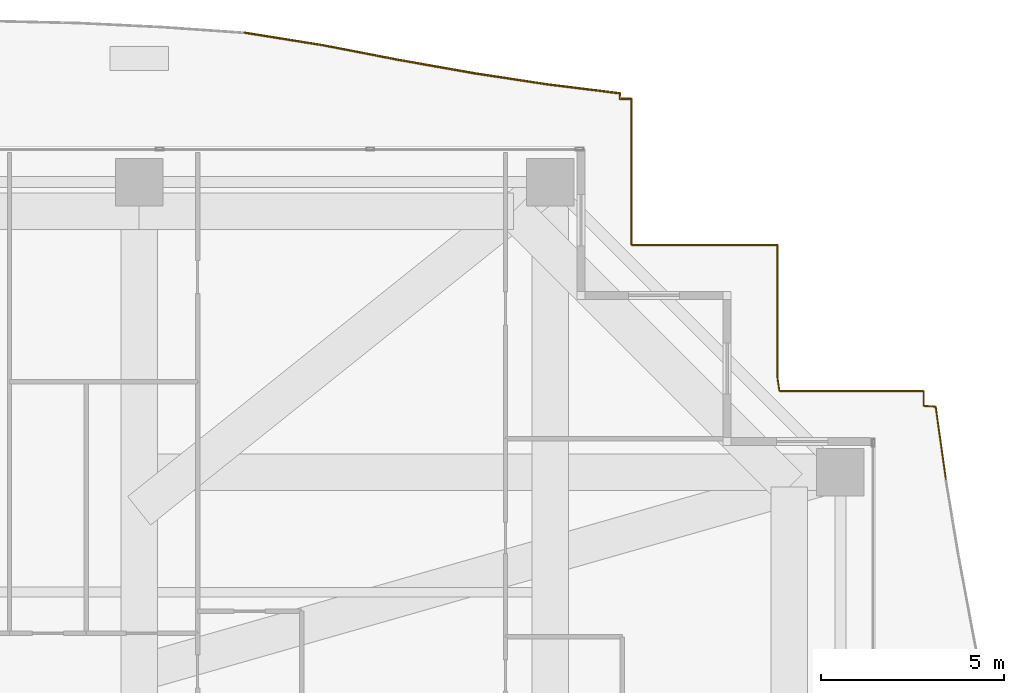
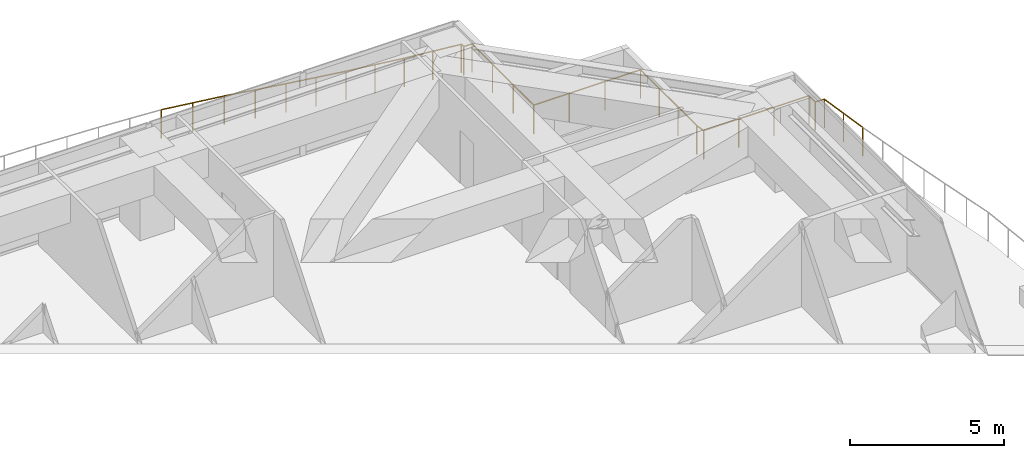
# One storey, part 32 of 32: 2 railings.
"""IFC4 building model written with IfcOpenShell, lengths in metres."""

from ifc_helpers import new_model, si_unit, direction, frame, origin, origin_2d, place, context, subcontext, project, spatial, circle, extrude, material, type_object, element, save


model = new_model("IFC4")

# Units and contexts
model_context = context("Model", 3, precision=1e-05, world=origin(), true_north=direction((0.0, 1.0)))
body_context = subcontext(model_context, "Body", "Model", "MODEL_VIEW")
ifc_project = project(units=[si_unit("LENGTHUNIT", "METRE"), si_unit("AREAUNIT", "SQUARE_METRE"), si_unit("VOLUMEUNIT", "CUBIC_METRE"), si_unit("PLANEANGLEUNIT", "RADIAN"), si_unit("MASSUNIT", "GRAM", prefix="KILO")], contexts=[model_context])

# Site, building, storey
site_placement = place(None, origin())
site = spatial("IfcSite", under=ifc_project, at=site_placement, CompositionType="ELEMENT")
building_placement = place(site_placement, origin())
building = spatial("IfcBuilding", under=site, at=building_placement, Name="Serunith Strait Residences", CompositionType="ELEMENT")
storey_placement = place(building_placement, frame((0.0, 0.0, 195.14990234375)))
storey = spatial("IfcBuildingStorey", under=building, at=storey_placement, Name="L49", CompositionType="ELEMENT", Elevation=195.14990234375)

# Railings
ifc_material = material(Name="Stainless Steel & Laminated Glass Balustrade", Category="steel")
railing_type = type_object("IfcRailingType", Name="RLG-BALC-1150", PredefinedType="BALUSTRADE", material=ifc_material)
railing_1_placement = place(storey_placement, frame((39.790771484375, 52.1923828125, -0.0498046875)))
element("IfcRailing", 1, at=railing_1_placement, inside=storey, type_object=railing_type, Name="L49 Swirling Balcony Perimeter Balustrade 3", PredefinedType="BALUSTRADE", context=body_context, shape_type="SweptSolid", body=[
    extrude(circle(Radius=0.02392578125, at=origin_2d()), frame((0.001953125, -0.000244140625, 1.1259765625), z_axis=(0.987396079544, -0.158268702218, 0.0), x_axis=(0.158268702218, 0.987396079544, 0.0)), (0.0, 0.0, 1.0), 2.1865234375),
    extrude(circle(Radius=0.02392578125, at=origin_2d()), frame((2.164794921875, -0.34716796875, 1.1259765625), z_axis=(0.981815210363, -0.189839123206, 0.0), x_axis=(0.189839123206, 0.981815210363, 0.0)), (0.0, 0.0, 1.0), 2.114013671875),
    extrude(circle(Radius=0.02392578125, at=origin_2d()), frame((4.244384765625, -0.7490234375, 1.1259765625), z_axis=(0.984634416296, -0.174628366099, 0.0), x_axis=(0.174628366099, 0.984634416296, 0.0)), (0.0, 0.0, 1.0), 2.06103515625),
    extrude(circle(Radius=0.02392578125, at=origin_2d()), frame((6.277587890625, -1.109619140625, 1.1259765625), z_axis=(0.988667401961, -0.150122510968, 0.0), x_axis=(0.150122510968, 0.988667401961, 0.0)), (0.0, 0.0, 1.0), 2.025634765625),
    extrude(circle(Radius=0.02392578125, at=origin_2d()), frame((8.2841796875, -1.414306640625, 1.1259765625), z_axis=(0.992467238183, -0.122510330723, 0.0), x_axis=(0.122510330723, 0.992467238183, 0.0)), (0.0, 0.0, 1.0), 2.0068359375),
    extrude(circle(Radius=0.02392578125, at=origin_2d()), frame((10.27783203125, -1.662353515625, 1.1259765625), z_axis=(-0.008025423722, -0.999967795768, 0.0), x_axis=(0.999967795768, -0.008025423722, 0.0)), (0.0, 0.0, 1.0), 0.148193359375),
    extrude(circle(Radius=0.02392578125, at=origin_2d()), frame((10.278564453125, -1.8125, 1.1259765625), z_axis=(1.0, 0.0, 0.0), x_axis=(0.0, 1.0, 0.0)), (0.0, 0.0, 1.0), 0.30859375),
    extrude(circle(Radius=0.02099609375, at=origin_2d()), origin(), (0.0, 0.0, 1.0), 1.099853515625),
    extrude(circle(Radius=0.02099609375, at=origin_2d()), frame((1.08154296875, -0.17333984375, 0.0)), (0.0, 0.0, 1.0), 1.099853515625),
    extrude(circle(Radius=0.02099609375, at=origin_2d()), frame((2.162841796875, -0.3466796875, 0.0)), (0.0, 0.0, 1.0), 1.099853515625),
    extrude(circle(Radius=0.02099609375, at=origin_2d()), frame((3.20263671875, -0.5478515625, 0.0)), (0.0, 0.0, 1.0), 1.099853515625),
    extrude(circle(Radius=0.02099609375, at=origin_2d()), frame((4.242431640625, -0.748779296875, 0.0)), (0.0, 0.0, 1.0), 1.099853515625),
    extrude(circle(Radius=0.02099609375, at=origin_2d()), frame((5.259033203125, -0.92919921875, 0.0)), (0.0, 0.0, 1.0), 1.099853515625),
    extrude(circle(Radius=0.02099609375, at=origin_2d()), frame((6.275634765625, -1.109375, 0.0)), (0.0, 0.0, 1.0), 1.099853515625),
    extrude(circle(Radius=0.02099609375, at=origin_2d()), frame((7.27880859375, -1.26171875, 0.0)), (0.0, 0.0, 1.0), 1.099853515625),
    extrude(circle(Radius=0.02099609375, at=origin_2d()), frame((8.2822265625, -1.4140625, 0.0)), (0.0, 0.0, 1.0), 1.099853515625),
    extrude(circle(Radius=0.02099609375, at=origin_2d()), frame((9.280029296875, -1.537109375, 0.0)), (0.0, 0.0, 1.0), 1.099853515625),
    extrude(circle(Radius=0.02099609375, at=origin_2d()), frame((10.27783203125, -1.660400390625, 0.0)), (0.0, 0.0, 1.0), 1.099853515625),
    extrude(circle(Radius=0.02099609375, at=origin_2d()), frame((10.276611328125, -1.8125, 0.0)), (0.0, 0.0, 1.0), 1.099853515625),
    extrude(circle(Radius=0.02099609375, at=origin_2d()), frame((10.589111328125, -1.8125, 0.0)), (0.0, 0.0, 1.0), 1.099853515625),
])
railing_2_placement = place(storey_placement, frame((50.3798828125, 50.3798828125, -0.0498046875)))
element("IfcRailing", 2, at=railing_2_placement, inside=storey, type_object=railing_type, Name="L49 Swirling Balcony Perimeter Balustrade 4", PredefinedType="BALUSTRADE", context=body_context, shape_type="SweptSolid", body=[
    extrude(circle(Radius=0.02392578125, at=origin_2d()), frame((0.0, -0.001953125, 1.1259765625), z_axis=(0.0, -1.0, 0.0), x_axis=(1.0, 0.0, 0.0)), (0.0, 0.0, 1.0), 3.99609375),
    extrude(circle(Radius=0.02392578125, at=origin_2d()), frame((0.001953125, -4.0, 1.1259765625), z_axis=(1.0, 0.0, 0.0), x_axis=(0.0, 1.0, 0.0)), (0.0, 0.0, 1.0), 3.99609375),
    extrude(circle(Radius=0.02392578125, at=origin_2d()), frame((4.0, -4.001953125, 1.1259765625), z_axis=(0.0, -1.0, 0.0), x_axis=(1.0, 0.0, 0.0)), (0.0, 0.0, 1.0), 3.64453125),
    extrude(circle(Radius=0.02392578125, at=origin_2d()), frame((4.000244140625, -7.650390625, 1.1259765625), z_axis=(0.146324585274, -0.989236632836, 0.0), x_axis=(0.989236632836, 0.146324585274, 0.0)), (0.0, 0.0, 1.0), 0.351318359375),
    extrude(circle(Radius=0.02392578125, at=origin_2d()), frame((4.053955078125, -8.0, 1.1259765625), z_axis=(1.0, 0.0, 0.0), x_axis=(0.0, 1.0, 0.0)), (0.0, 0.0, 1.0), 3.944091796875),
    extrude(circle(Radius=0.02392578125, at=origin_2d()), frame((8.0, -8.001953125, 1.1259765625), z_axis=(0.0, -1.0, 0.0), x_axis=(1.0, 0.0, 0.0)), (0.0, 0.0, 1.0), 0.402099609375),
    extrude(circle(Radius=0.02392578125, at=origin_2d()), frame((8.001953125, -8.406005859375, 1.1259765625), z_axis=(0.998372539461, -0.057028698471, 0.0), x_axis=(0.057028698471, 0.998372539461, 0.0)), (0.0, 0.0, 1.0), 0.32568359375),
    extrude(circle(Radius=0.02392578125, at=origin_2d()), frame((8.329345703125, -8.4267578125, 1.1259765625), z_axis=(0.138951209425, -0.990299228213, 0.0), x_axis=(0.990299228213, 0.138951209425, 0.0)), (0.0, 0.0, 1.0), 2.0166015625),
    extrude(circle(Radius=0.02099609375, at=origin_2d()), origin(), (0.0, 0.0, 1.0), 1.099853515625),
    extrude(circle(Radius=0.02099609375, at=origin_2d()), frame((0.0, -1.333251953125, 0.0)), (0.0, 0.0, 1.0), 1.099853515625),
    extrude(circle(Radius=0.02099609375, at=origin_2d()), frame((0.0, -2.666748046875, 0.0)), (0.0, 0.0, 1.0), 1.099853515625),
    extrude(circle(Radius=0.02099609375, at=origin_2d()), frame((0.0, -4.0, 0.0)), (0.0, 0.0, 1.0), 1.099853515625),
    extrude(circle(Radius=0.02099609375, at=origin_2d()), frame((1.333251953125, -4.0, 0.0)), (0.0, 0.0, 1.0), 1.099853515625),
    extrude(circle(Radius=0.02099609375, at=origin_2d()), frame((2.666748046875, -4.0, 0.0)), (0.0, 0.0, 1.0), 1.099853515625),
    extrude(circle(Radius=0.02099609375, at=origin_2d()), frame((4.0, -4.0, 0.0)), (0.0, 0.0, 1.0), 1.099853515625),
    extrude(circle(Radius=0.02099609375, at=origin_2d()), frame((4.0, -5.216064453125, 0.0)), (0.0, 0.0, 1.0), 1.099853515625),
    extrude(circle(Radius=0.02099609375, at=origin_2d()), frame((4.0, -6.432373046875, 0.0)), (0.0, 0.0, 1.0), 1.099853515625),
    extrude(circle(Radius=0.02099609375, at=origin_2d()), frame((4.0, -7.6484375, 0.0)), (0.0, 0.0, 1.0), 1.099853515625),
    extrude(circle(Radius=0.02099609375, at=origin_2d()), frame((4.052001953125, -8.0, 0.0)), (0.0, 0.0, 1.0), 1.099853515625),
    extrude(circle(Radius=0.02099609375, at=origin_2d()), frame((5.367919921875, -8.0, 0.0)), (0.0, 0.0, 1.0), 1.099853515625),
    extrude(circle(Radius=0.02099609375, at=origin_2d()), frame((6.68408203125, -8.0, 0.0)), (0.0, 0.0, 1.0), 1.099853515625),
    extrude(circle(Radius=0.02099609375, at=origin_2d()), frame((8.0, -8.0, 0.0)), (0.0, 0.0, 1.0), 1.099853515625),
    extrude(circle(Radius=0.02099609375, at=origin_2d()), frame((8.0, -8.406005859375, 0.0)), (0.0, 0.0, 1.0), 1.099853515625),
    extrude(circle(Radius=0.02099609375, at=origin_2d()), frame((8.3291015625, -8.4248046875, 0.0)), (0.0, 0.0, 1.0), 1.099853515625),
    extrude(circle(Radius=0.02099609375, at=origin_2d()), frame((8.469482421875, -9.42529296875, 0.0)), (0.0, 0.0, 1.0), 1.099853515625),
    extrude(circle(Radius=0.02099609375, at=origin_2d()), frame((8.60986328125, -10.42578125, 0.0)), (0.0, 0.0, 1.0), 1.099853515625),
])

save(model, "model.ifc")
